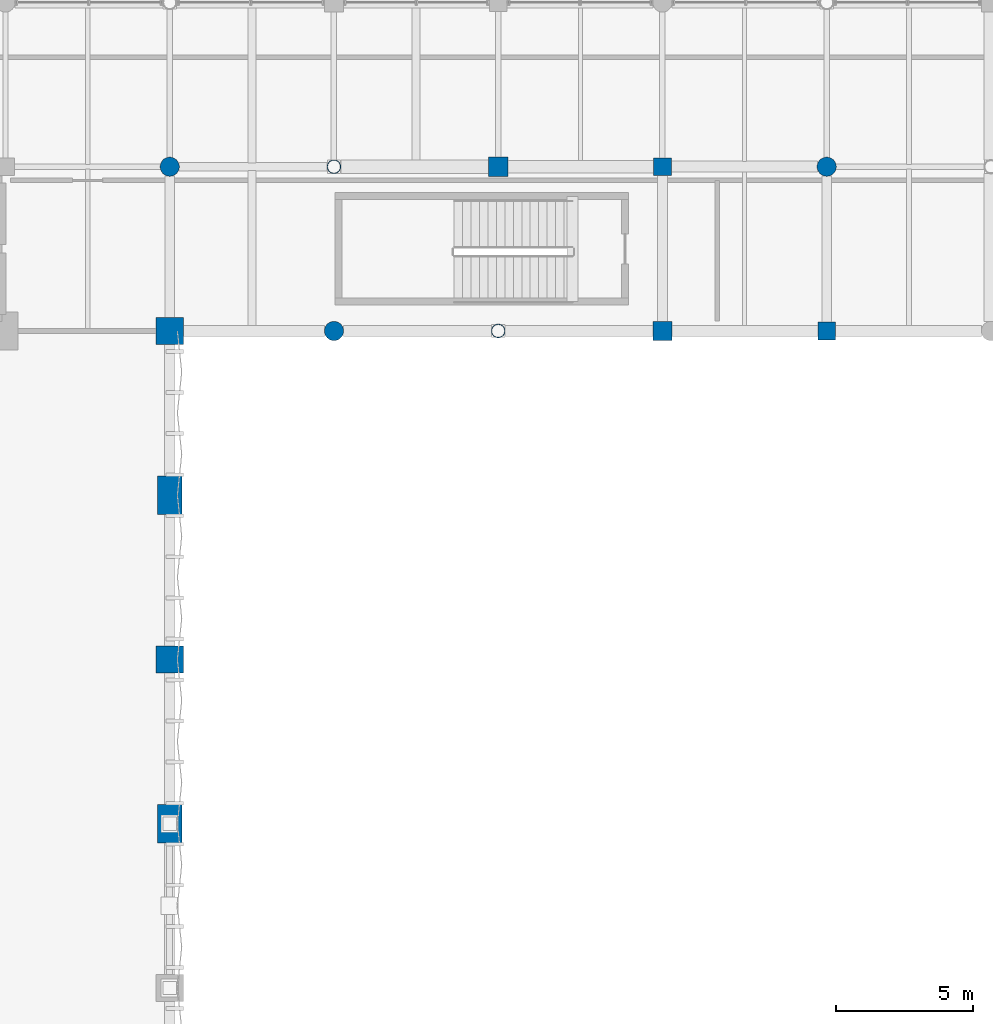
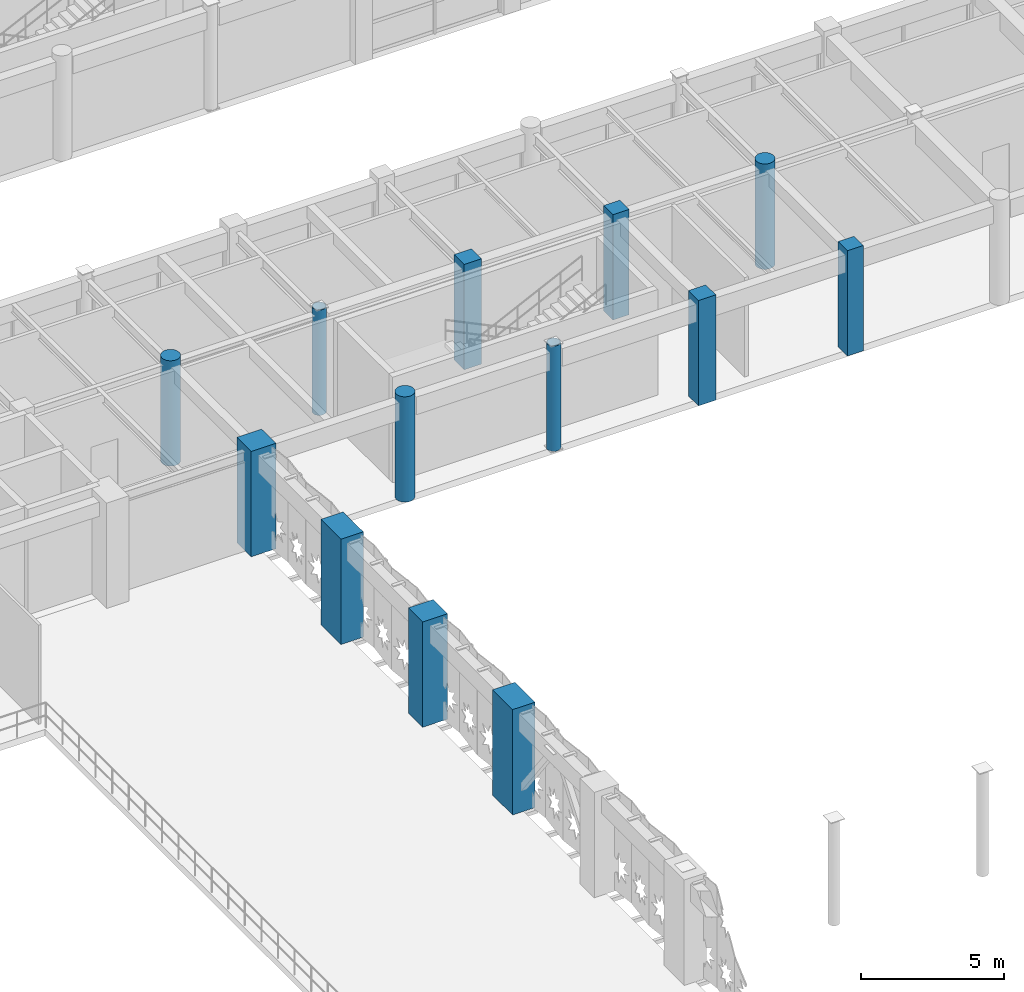
# One storey, part 8 of 116: 13 columns.
"""IFC4 building model written with IfcOpenShell, lengths in metres."""

import ifcopenshell
import ifcopenshell.guid

model = None  # the IFC model being written
_history = None  # IfcOwnerHistory: only IFC2X3 demands one
_inside = {}  # id of a spatial element -> (the spatial element, [elements in it])
_under = {}  # id of a project, library or spatial element -> (it, [spatial elements below it])
_declared = {}  # id of a project -> (the project, [libraries it declares])
_typed = {}  # id of a type object -> (the type object, [elements of that type])
_made_of = {}  # id of a material, layer set ... -> (it, [elements and type objects made of it])


def new_model(schema):
    """Start an empty IFC model of exactly this schema.

    Asked for "IFC4X3", IfcOpenShell would pick the latest addendum, in which some entities
    have other attributes; the version numbers below select the first issue.
    IFC2X3 requires an IfcOwnerHistory on every rooted entity: one is made here for all.
    """
    global model, _history
    if schema == "IFC4X3":
        model = ifcopenshell.file(schema_version=(4, 3, 0, 0))
    else:
        model = ifcopenshell.file(schema=schema)
    _inside.clear()
    _under.clear()
    _declared.clear()
    _typed.clear()
    _made_of.clear()
    _history = None
    if model.schema == "IFC2X3":
        org = make("IfcOrganization", Name="unknown")
        user = make(
            "IfcPersonAndOrganization",
            ThePerson=make("IfcPerson", FamilyName="unknown"),
            TheOrganization=org,
        )
        app = make(
            "IfcApplication",
            ApplicationDeveloper=org,
            Version="unknown",
            ApplicationFullName="unknown",
            ApplicationIdentifier="unknown",
        )
        _history = make(
            "IfcOwnerHistory",
            OwningUser=user,
            OwningApplication=app,
            ChangeAction="ADDED",
            CreationDate=0,
        )
    return model


def make(cls, **values):
    """One entity of the class cls with the attributes given. An attribute that is None is left unset."""
    return model.create_entity(
        cls, **{name: value for name, value in values.items() if value is not None}
    )


def rooted(cls, **values):
    """An entity with a GlobalId (a new one), such as an element, a storey or a relation."""
    return make(cls, GlobalId=ifcopenshell.guid.new(), OwnerHistory=_history, **values)


def si_unit(unit_type, name, prefix=None):
    """IfcSIUnit, for example si_unit("LENGTHUNIT", "METRE", prefix="MILLI")."""
    return make("IfcSIUnit", UnitType=unit_type, Prefix=prefix, Name=name)


def assignment(units):
    """IfcUnitAssignment: the units of a project."""
    return None if units is None else make("IfcUnitAssignment", Units=units)


def point(xyz):
    """IfcCartesianPoint."""
    return None if xyz is None else make("IfcCartesianPoint", Coordinates=xyz)


def direction(xyz):
    """IfcDirection."""
    return None if xyz is None else make("IfcDirection", DirectionRatios=xyz)


def frame(location, z_axis=None, x_axis=None):
    """IfcAxis2Placement3D, a coordinate frame: its origin and axes. An axis left out is left unset."""
    return make(
        "IfcAxis2Placement3D",
        Location=point(location),
        Axis=direction(z_axis),
        RefDirection=direction(x_axis),
    )


def frame_2d(location, x_axis=None):
    """IfcAxis2Placement2D, a coordinate frame in the plane: its origin and x axis."""
    return make(
        "IfcAxis2Placement2D", Location=point(location), RefDirection=direction(x_axis)
    )


def origin():
    """The frame at (0, 0, 0) with its axes left unset."""
    return frame((0.0, 0.0, 0.0))


def origin_2d():
    """The frame at (0, 0) in the plane with its x axis left unset."""
    return frame_2d((0.0, 0.0))


def place(relative_to, where):
    """IfcLocalPlacement: puts the frame where relative to a parent placement (None: the world)."""
    return make(
        "IfcLocalPlacement", PlacementRelTo=relative_to, RelativePlacement=where
    )


def context(
    kind, dimensions, precision=None, world=None, true_north=None, identifier=None
):
    """IfcGeometricRepresentationContext, for example the 3D "Model" context."""
    return make(
        "IfcGeometricRepresentationContext",
        ContextIdentifier=identifier,
        ContextType=kind,
        CoordinateSpaceDimension=dimensions,
        Precision=precision,
        WorldCoordinateSystem=world,
        TrueNorth=true_north,
    )


def subcontext(parent, identifier, kind, view, scale=None):
    """IfcGeometricRepresentationSubContext, for example "Body" below "Model"."""
    return make(
        "IfcGeometricRepresentationSubContext",
        ContextIdentifier=identifier,
        ContextType=kind,
        ParentContext=parent,
        TargetScale=scale,
        TargetView=view,
    )


def project(units=None, contexts=None):
    """IfcProject with its units and contexts."""
    return rooted(
        "IfcProject",
        Name="project",
        RepresentationContexts=contexts,
        UnitsInContext=assignment(units),
    )


def spatial(cls, under=None, at=None, **own):
    """A site, building, storey or space (cls), placed at a placement, below another one or the project."""
    s = rooted(cls, ObjectPlacement=at, **own)
    if under is not None:
        _under.setdefault(under.id(), (under, []))[1].append(s)
    return s


def profile(cls, at=None, kind="AREA", **sizes):
    """A parametric profile (cls). Its sizes go by their IFC names, for example OverallWidth=200.0."""
    return make(cls, ProfileType=kind, Position=at, **sizes)


def rectangle(**sizes):
    """IfcRectangleProfileDef."""
    return profile("IfcRectangleProfileDef", **sizes)


def circle(**sizes):
    """IfcCircleProfileDef."""
    return profile("IfcCircleProfileDef", **sizes)


def hollow_circle(**sizes):
    """IfcCircleHollowProfileDef."""
    return profile("IfcCircleHollowProfileDef", **sizes)


def extrude(swept, where, along, depth):
    """IfcExtrudedAreaSolid: the profile swept, set in the frame where, extruded along a direction by depth."""
    return make(
        "IfcExtrudedAreaSolid",
        SweptArea=swept,
        Position=where,
        ExtrudedDirection=direction(along),
        Depth=depth,
    )


def shape(context_of_items, identifier, shape_type, items):
    """IfcShapeRepresentation: the items that make up one representation, for example the "Body"."""
    return make(
        "IfcShapeRepresentation",
        ContextOfItems=context_of_items,
        RepresentationIdentifier=identifier,
        RepresentationType=shape_type,
        Items=items,
    )


def material(Name=None, Category=None):
    """IfcMaterial."""
    return make("IfcMaterial", Name=Name, Category=Category)


def material_profile(
    of_material, cross_section, Name=None, Category=None, Priority=None
):
    """IfcMaterialProfile: a cross section and its material."""
    return make(
        "IfcMaterialProfile",
        Name=Name,
        Material=of_material,
        Profile=cross_section,
        Priority=Priority,
        Category=Category,
    )


def profile_set(profiles, Name=None, composite=None):
    """IfcMaterialProfileSet."""
    return make(
        "IfcMaterialProfileSet",
        Name=Name,
        MaterialProfiles=profiles,
        CompositeProfile=composite,
    )


def made_of(thing, what):
    """Note that an element or type object is made of a material, layer set ...; save() writes the relation."""
    if what is not None:
        _made_of.setdefault(what.id(), (what, []))[1].append(thing)
    return thing


def type_object(cls, material=None, **own):
    """A type object (cls), such as IfcWallType, which elements share."""
    return made_of(rooted(cls, **own), material)


def element(
    cls,
    number,
    at=None,
    inside=None,
    cuts=None,
    type_object=None,
    material=None,
    context=None,
    identifier="Body",
    shape_type=None,
    held_by="IfcProductDefinitionShape",
    body=None,
    shapes=None,
    **own,
):
    """One element of the class cls, such as IfcWall. Its Tag is "e" and its number.

    at: its placement. inside: the storey or other place that contains it. cuts: it is an
    opening in that element (IfcRelVoidsElement). A single representation is given by context,
    identifier, shape_type and body (its items); several are given by shapes. held_by: the class
    of the entity that holds the representations. save() writes the other relations.
    """
    e = rooted(cls, Tag="e%d" % number, ObjectPlacement=at, **own)
    if body is not None:
        shapes = [shape(context, identifier, shape_type, body)]
    if shapes is not None:
        e.Representation = make(held_by, Representations=shapes)
    if inside is not None:
        _inside.setdefault(inside.id(), (inside, []))[1].append(e)
    if cuts is not None:
        rooted(
            "IfcRelVoidsElement", RelatingBuildingElement=cuts, RelatedOpeningElement=e
        )
    if type_object is not None:
        _typed.setdefault(type_object.id(), (type_object, []))[1].append(e)
    return made_of(e, material)


def aggregate(whole, parts):
    """IfcRelAggregates: a whole, such as a stair, and the parts it consists of."""
    return rooted("IfcRelAggregates", RelatingObject=whole, RelatedObjects=parts)


def save(model, path):
    """Write the relations noted so far, then the file.

    IfcRelAggregates (storeys below a building ...), IfcRelContainedInSpatialStructure (elements
    in a storey), IfcRelDefinesByType, IfcRelAssociatesMaterial and IfcRelDeclares: one each for
    every whole, place, type object, material and project.
    """
    for whole, parts in _under.values():
        aggregate(whole, parts)
    for where, things in _inside.values():
        rooted(
            "IfcRelContainedInSpatialStructure",
            RelatedElements=things,
            RelatingStructure=where,
        )
    for kind, things in _typed.values():
        rooted("IfcRelDefinesByType", RelatedObjects=things, RelatingType=kind)
    for what, things in _made_of.values():
        rooted("IfcRelAssociatesMaterial", RelatedObjects=things, RelatingMaterial=what)
    for by, libraries in _declared.values():
        rooted("IfcRelDeclares", RelatingContext=by, RelatedDefinitions=libraries)
    model.write(path)


model = new_model("IFC4")

# Units and contexts
model_context = context("Model", 3, precision=1e-05, world=origin(), true_north=direction((0.0, 1.0)))
body_context = subcontext(model_context, "Body", "Model", "MODEL_VIEW")
ifc_project = project(units=[si_unit("LENGTHUNIT", "METRE"), si_unit("AREAUNIT", "SQUARE_METRE"), si_unit("VOLUMEUNIT", "CUBIC_METRE"), si_unit("PLANEANGLEUNIT", "RADIAN"), si_unit("MASSUNIT", "GRAM", prefix="KILO"), si_unit("THERMODYNAMICTEMPERATUREUNIT", "KELVIN"), si_unit("POWERUNIT", "WATT")], contexts=[model_context])

# Site, building, storey
site_placement = place(None, origin())
site = spatial("IfcSite", under=ifc_project, at=site_placement, CompositionType="ELEMENT")
building_placement = place(site_placement, origin())
building = spatial("IfcBuilding", under=site, at=building_placement, Name="Phaisarnlok Congress Hotel", CompositionType="ELEMENT")
storey_placement = place(building_placement, frame((0.0, 0.0, 10.5)))
storey = spatial("IfcBuildingStorey", under=building, at=storey_placement, Name="L02", CompositionType="ELEMENT", Elevation=10.5)

# Columns
ifc_material_1 = material(Name="Concrete C50/60", Category="concrete")
ifc_material_profile_1 = material_profile(ifc_material_1, rectangle(XDim=1.0, YDim=1.0, at=origin_2d()), Name="RC 1000x1000")
ifc_profile_set_1 = profile_set([ifc_material_profile_1], Name="Concrete C50/60")
column_type_1 = type_object("IfcColumnType", Name="COL-RC-1000", PredefinedType="COLUMN", material=ifc_profile_set_1)
for number, where, z_axis, x_axis, name in (
    (1, (66.0, 72.0, 0.0), (0.0, 0.0, 1.0), (1.0, 0.0, 0.0), "Column C-09 (L02)"),
    (2, (66.0, 84.0, 0.0), (0.0, 0.0, 1.0), (1.0, 0.0, 0.0), "Column C-09 (L02)"),
):
    element("IfcColumn", number, at=place(storey_placement, frame(where, z_axis=z_axis, x_axis=x_axis)), inside=storey, type_object=column_type_1, Name=name, PredefinedType="COLUMN", context=body_context, shape_type="SweptSolid", body=[
        extrude(rectangle(XDim=1.0, YDim=1.0, at=origin_2d()), origin(), (0.0, 0.0, 1.0), 4.5),
    ])
ifc_material_profile_2 = material_profile(ifc_material_1, rectangle(XDim=0.64990234375, YDim=0.64990234375, at=origin_2d()), Name="RC 650x650")
ifc_profile_set_2 = profile_set([ifc_material_profile_2], Name="Concrete C50/60")
column_type_2 = type_object("IfcColumnType", Name="COL-RC-650", PredefinedType="COLUMN", material=ifc_profile_set_2)
for number, where, z_axis, x_axis, name in (
    (3, (84.0, 90.0, 0.0), (0.0, 0.0, 1.0), (1.0, 0.0, 0.0), "Column C-04 (L02)"),
    (4, (90.0, 84.0, 0.0), (0.0, 0.0, 1.0), (1.0, 0.0, 0.0), "Column C-04 (L02)"),
):
    element("IfcColumn", number, at=place(storey_placement, frame(where, z_axis=z_axis, x_axis=x_axis)), inside=storey, type_object=column_type_2, Name=name, PredefinedType="COLUMN", context=body_context, shape_type="SweptSolid", body=[
        extrude(rectangle(XDim=0.64990234375, YDim=0.64990234375, at=origin_2d()), origin(), (0.0, 0.0, 1.0), 4.5),
    ])
ifc_material_profile_3 = material_profile(ifc_material_1, rectangle(XDim=0.699951171875, YDim=0.699951171875, at=origin_2d()), Name="RC 700x700")
ifc_profile_set_3 = profile_set([ifc_material_profile_3], Name="Concrete C50/60")
column_type_3 = type_object("IfcColumnType", Name="COL-RC-700", PredefinedType="COLUMN", material=ifc_profile_set_3)
for number, where, z_axis, x_axis, name in (
    (5, (78.0, 90.0, 0.0), (0.0, 0.0, 1.0), (1.0, 0.0, 0.0), "Column C-05 (L02)"),
    (6, (84.0, 84.0, 0.0), (0.0, 0.0, 1.0), (1.0, 0.0, 0.0), "Column C-05 (L02)"),
):
    element("IfcColumn", number, at=place(storey_placement, frame(where, z_axis=z_axis, x_axis=x_axis)), inside=storey, type_object=column_type_3, Name=name, PredefinedType="COLUMN", context=body_context, shape_type="SweptSolid", body=[
        extrude(rectangle(XDim=0.699951171875, YDim=0.699951171875, at=origin_2d()), origin(), (0.0, 0.0, 1.0), 4.5),
    ])
ifc_material_profile_4 = material_profile(ifc_material_1, rectangle(XDim=0.89990234375, YDim=1.39990234375, at=origin_2d()), Name="RC 900x1400")
ifc_profile_set_4 = profile_set([ifc_material_profile_4], Name="Concrete C50/60")
column_type_4 = type_object("IfcColumnType", Name="COL-RC-900x1400", PredefinedType="COLUMN", material=ifc_profile_set_4)
for number, where, z_axis, x_axis, name in (
    (7, (66.0, 66.0, 0.0), (0.0, 0.0, 1.0), (1.0, 0.0, 0.0), "Column C-12 (L02)"),
    (8, (66.0, 78.0, 0.0), (0.0, 0.0, 1.0), (1.0, 0.0, 0.0), "Column C-12 (L02)"),
):
    element("IfcColumn", number, at=place(storey_placement, frame(where, z_axis=z_axis, x_axis=x_axis)), inside=storey, type_object=column_type_4, Name=name, PredefinedType="COLUMN", context=body_context, shape_type="SweptSolid", body=[
        extrude(rectangle(XDim=0.89990234375, YDim=1.39990234375, at=origin_2d()), origin(), (0.0, 0.0, 1.0), 4.5),
    ])
ifc_material_profile_5 = material_profile(ifc_material_1, circle(Radius=0.35009765625, at=origin_2d()), Name="RCC D700")
ifc_profile_set_5 = profile_set([ifc_material_profile_5], Name="Concrete C50/60")
column_type_5 = type_object("IfcColumnType", Name="COL-RCC-700", PredefinedType="COLUMN", material=ifc_profile_set_5)
for number, where, z_axis, x_axis, name in (
    (9, (66.0, 90.0, 0.0), (0.0, 0.0, 1.0), (1.0, 0.0, 0.0), "Column C-13 (L02)"),
    (10, (72.0, 84.0, 0.0), (0.0, 0.0, 1.0), (1.0, 0.0, 0.0), "Column C-13 (L02)"),
    (11, (90.0, 90.0, 0.0), (0.0, 0.0, 1.0), (1.0, 0.0, 0.0), "Column C-13 (L02)"),
):
    element("IfcColumn", number, at=place(storey_placement, frame(where, z_axis=z_axis, x_axis=x_axis)), inside=storey, type_object=column_type_5, Name=name, PredefinedType="COLUMN", context=body_context, shape_type="SweptSolid", body=[
        extrude(circle(Radius=0.35009765625, at=origin_2d()), origin(), (0.0, 0.0, 1.0), 4.5),
    ])
ifc_material_2 = material(Name="Steel S355", Category="steel")
ifc_material_profile_6 = material_profile(ifc_material_2, hollow_circle(Radius=0.25390625, WallThickness=0.02490234375, at=origin_2d()), Name="CHS 508x25")
ifc_profile_set_6 = profile_set([ifc_material_profile_6], Name="Steel S355")
column_type_6 = type_object("IfcColumnType", Name="COL-STL-CHS508", PredefinedType="COLUMN", material=ifc_profile_set_6)
for number, where, z_axis, x_axis, name in (
    (12, (72.0, 90.0, 0.0), (0.0, 0.0, 1.0), (1.0, 0.0, 0.0), "Column SC-03 (L02)"),
    (13, (78.0, 84.0, 0.0), (0.0, 0.0, 1.0), (1.0, 0.0, 0.0), "Column SC-03 (L02)"),
):
    element("IfcColumn", number, at=place(storey_placement, frame(where, z_axis=z_axis, x_axis=x_axis)), inside=storey, type_object=column_type_6, Name=name, PredefinedType="COLUMN", context=body_context, shape_type="SweptSolid", body=[
        extrude(hollow_circle(Radius=0.25390625, WallThickness=0.02490234375, at=origin_2d()), origin(), (0.0, 0.0, 1.0), 4.5),
    ])

save(model, "model.ifc")
